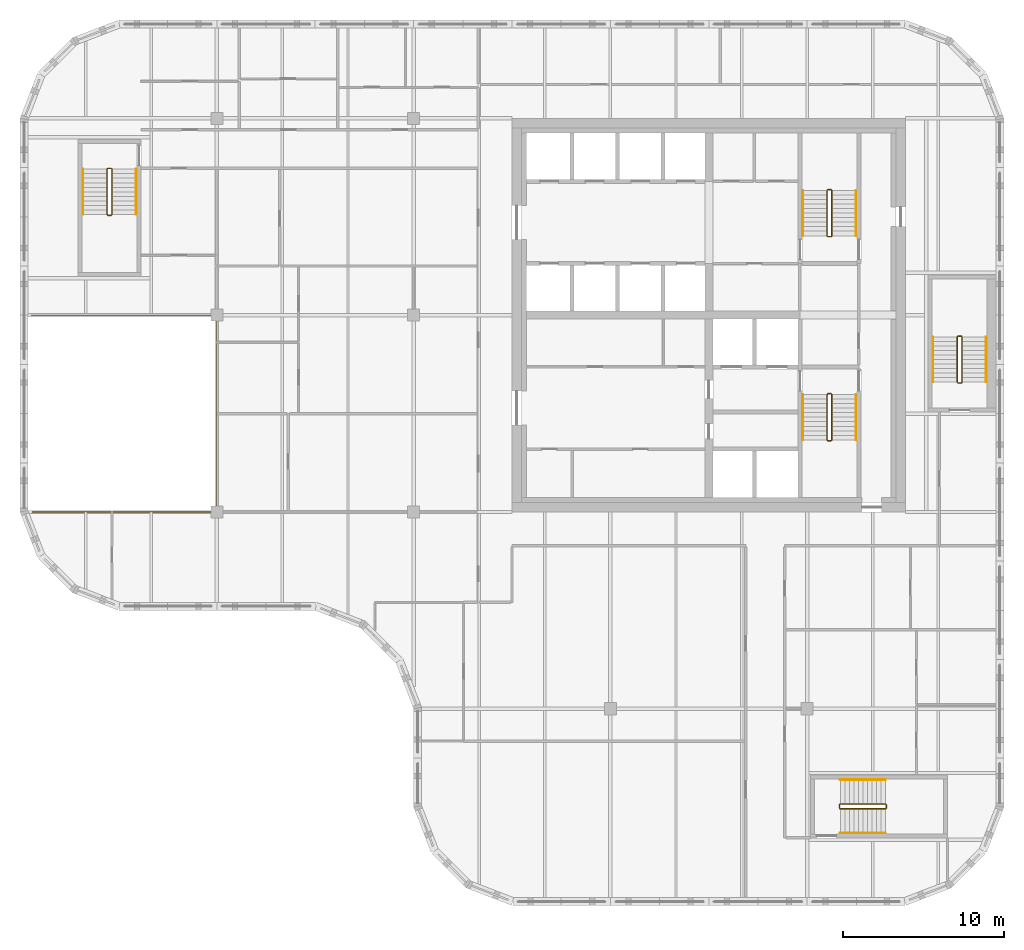
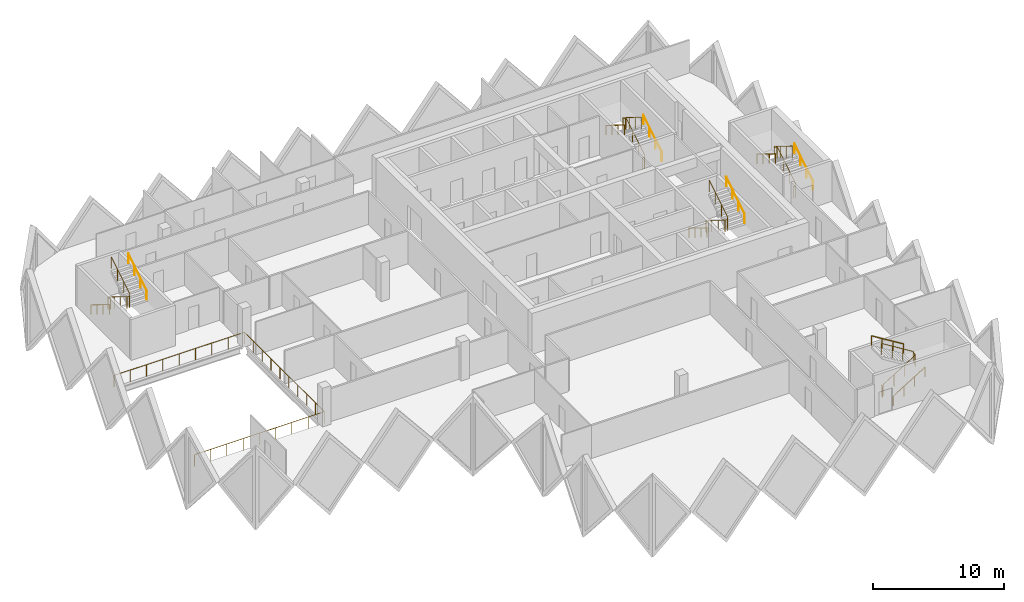
# One storey, part 11 of 11: 16 railings.
"""IFC4 building model written with IfcOpenShell, lengths in metres."""

from ifc_helpers import new_model, si_unit, direction, frame, origin, origin_2d, place, context, subcontext, project, spatial, circle, extrude, material, type_object, element, save


model = new_model("IFC4")

# Units and contexts
model_context = context("Model", 3, precision=1e-05, world=origin(), true_north=direction((0.0, 1.0)))
body_context = subcontext(model_context, "Body", "Model", "MODEL_VIEW")
ifc_project = project(units=[si_unit("LENGTHUNIT", "METRE"), si_unit("AREAUNIT", "SQUARE_METRE"), si_unit("VOLUMEUNIT", "CUBIC_METRE"), si_unit("PLANEANGLEUNIT", "RADIAN"), si_unit("MASSUNIT", "GRAM", prefix="KILO")], contexts=[model_context])

# Site, building, storey
site_placement = place(None, origin())
site = spatial("IfcSite", under=ifc_project, at=site_placement, CompositionType="ELEMENT")
building_placement = place(site_placement, origin())
building = spatial("IfcBuilding", under=site, at=building_placement, Name="Tessera Gate Towers", CompositionType="ELEMENT")
storey_placement = place(building_placement, frame((0.0, 0.0, 166.800048828125)))
storey = spatial("IfcBuildingStorey", under=building, at=storey_placement, Name="L41", CompositionType="ELEMENT", Elevation=166.800048828125)

# Railings
ifc_material_1 = material(Name="Toughened glass with stainless steel handrail", Category="steel")
railing_type_1 = type_object("IfcRailingType", Name="GUARD 1100 GLASS BALUSTRADE", PredefinedType="GUARDRAIL", material=ifc_material_1)
railing_1_placement = place(storey_placement, frame((0.750244140625, 24.39990234375, 0.0)))
element("IfcRailing", 1, at=railing_1_placement, inside=storey, type_object=railing_type_1, Name="Guard", PredefinedType="GUARDRAIL", context=body_context, shape_type="SweptSolid", body=[
    extrude(circle(Radius=0.02490234375, at=origin_2d()), frame((0.0, 0.0, 1.0751953125), z_axis=(1.0, 0.0, 0.0), x_axis=(0.0, 1.0, 0.0)), (0.0, 0.0, 1.0), 11.44970703125),
    extrude(circle(Radius=0.02490234375, at=origin_2d()), frame((11.44970703125, 0.0, 1.0751953125), z_axis=(0.0, 1.0, 0.0), x_axis=(-1.0, 0.0, 0.0)), (0.0, 0.0, 1.0), 12.2001953125),
    extrude(circle(Radius=0.02490234375, at=origin_2d()), frame((11.44970703125, 12.2001953125, 1.0751953125), z_axis=(-1.0, 0.0, 0.0), x_axis=(0.0, -1.0, 0.0)), (0.0, 0.0, 1.0), 11.5),
    extrude(circle(Radius=0.02490234375, at=origin_2d()), origin(), (0.0, 0.0, 1.0), 1.050048828125),
    extrude(circle(Radius=0.02490234375, at=origin_2d()), frame((1.43115234375, 0.0, 0.0)), (0.0, 0.0, 1.0), 1.050048828125),
    extrude(circle(Radius=0.02490234375, at=origin_2d()), frame((2.8623046875, 0.0, 0.0)), (0.0, 0.0, 1.0), 1.050048828125),
    extrude(circle(Radius=0.02490234375, at=origin_2d()), frame((4.293701171875, 0.0, 0.0)), (0.0, 0.0, 1.0), 1.050048828125),
    extrude(circle(Radius=0.02490234375, at=origin_2d()), frame((5.724853515625, 0.0, 0.0)), (0.0, 0.0, 1.0), 1.050048828125),
    extrude(circle(Radius=0.02490234375, at=origin_2d()), frame((7.156005859375, 0.0, 0.0)), (0.0, 0.0, 1.0), 1.050048828125),
    extrude(circle(Radius=0.02490234375, at=origin_2d()), frame((8.58740234375, 0.0, 0.0)), (0.0, 0.0, 1.0), 1.050048828125),
    extrude(circle(Radius=0.02490234375, at=origin_2d()), frame((10.0185546875, 0.0, 0.0)), (0.0, 0.0, 1.0), 1.050048828125),
    extrude(circle(Radius=0.02490234375, at=origin_2d()), frame((11.44970703125, 0.0, 0.0)), (0.0, 0.0, 1.0), 1.050048828125),
    extrude(circle(Radius=0.02490234375, at=origin_2d()), frame((11.44970703125, 1.35546875, 0.0)), (0.0, 0.0, 1.0), 1.050048828125),
    extrude(circle(Radius=0.02490234375, at=origin_2d()), frame((11.44970703125, 2.711181640625, 0.0)), (0.0, 0.0, 1.0), 1.050048828125),
    extrude(circle(Radius=0.02490234375, at=origin_2d()), frame((11.44970703125, 4.066650390625, 0.0)), (0.0, 0.0, 1.0), 1.050048828125),
    extrude(circle(Radius=0.02490234375, at=origin_2d()), frame((11.44970703125, 5.42236328125, 0.0)), (0.0, 0.0, 1.0), 1.050048828125),
    extrude(circle(Radius=0.02490234375, at=origin_2d()), frame((11.44970703125, 6.77783203125, 0.0)), (0.0, 0.0, 1.0), 1.050048828125),
    extrude(circle(Radius=0.02490234375, at=origin_2d()), frame((11.44970703125, 8.133544921875, 0.0)), (0.0, 0.0, 1.0), 1.050048828125),
    extrude(circle(Radius=0.02490234375, at=origin_2d()), frame((11.44970703125, 9.489013671875, 0.0)), (0.0, 0.0, 1.0), 1.050048828125),
    extrude(circle(Radius=0.02490234375, at=origin_2d()), frame((11.44970703125, 10.8447265625, 0.0)), (0.0, 0.0, 1.0), 1.050048828125),
    extrude(circle(Radius=0.02490234375, at=origin_2d()), frame((11.44970703125, 12.2001953125, 0.0)), (0.0, 0.0, 1.0), 1.050048828125),
    extrude(circle(Radius=0.02490234375, at=origin_2d()), frame((10.01220703125, 12.2001953125, 0.0)), (0.0, 0.0, 1.0), 1.050048828125),
    extrude(circle(Radius=0.02490234375, at=origin_2d()), frame((8.57470703125, 12.2001953125, 0.0)), (0.0, 0.0, 1.0), 1.050048828125),
    extrude(circle(Radius=0.02490234375, at=origin_2d()), frame((7.13720703125, 12.2001953125, 0.0)), (0.0, 0.0, 1.0), 1.050048828125),
    extrude(circle(Radius=0.02490234375, at=origin_2d()), frame((5.69970703125, 12.2001953125, 0.0)), (0.0, 0.0, 1.0), 1.050048828125),
    extrude(circle(Radius=0.02490234375, at=origin_2d()), frame((4.26220703125, 12.2001953125, 0.0)), (0.0, 0.0, 1.0), 1.050048828125),
    extrude(circle(Radius=0.02490234375, at=origin_2d()), frame((2.82470703125, 12.2001953125, 0.0)), (0.0, 0.0, 1.0), 1.050048828125),
    extrude(circle(Radius=0.02490234375, at=origin_2d()), frame((1.38720703125, 12.2001953125, 0.0)), (0.0, 0.0, 1.0), 1.050048828125),
    extrude(circle(Radius=0.02490234375, at=origin_2d()), frame((-0.05029296875, 12.2001953125, 0.0)), (0.0, 0.0, 1.0), 1.050048828125),
])
ifc_material_2 = material(Name="Steel 350W", Category="steel")
railing_type_2 = type_object("IfcRailingType", Name="STAIR GUARD 1100", PredefinedType="GUARDRAIL", material=ifc_material_2)
railing_2_placement = place(storey_placement, frame((50.27490234375, 31.72509765625, 0.0)))
element("IfcRailing", 2, at=railing_2_placement, inside=storey, type_object=railing_type_2, Name="L41 ST1 stair guard 1", PredefinedType="GUARDRAIL", context=body_context, shape_type="SweptSolid", body=[
    extrude(circle(Radius=0.02392578125, at=origin_2d()), frame((0.0, 0.0, 1.076171875), z_axis=(-1.0, 0.0, 0.0), x_axis=(0.0, -1.0, 0.0)), (0.0, 0.0, 1.0), 0.199951171875),
    extrude(circle(Radius=0.02392578125, at=origin_2d()), frame((-0.199951171875, 0.0, 1.076171875), z_axis=(-0.268277960024, -0.268277960024, 0.925231793839), x_axis=(0.707106781187, -0.707106781187, 0.0)), (0.0, 0.0, 1.0), 0.1865234375),
    extrude(circle(Radius=0.02392578125, at=origin_2d()), frame((-0.25, -0.050048828125, 1.24853515625), z_axis=(0.0, -0.851089632645, 0.525020415988), x_axis=(1.0, 0.0, 0.0)), (0.0, 0.0, 1.0), 3.2900390625),
    extrude(circle(Radius=0.02392578125, at=origin_2d()), frame((-0.25, -2.85009765625, 2.97607421875), z_axis=(0.707106781187, -0.707106781187, 0.0), x_axis=(0.707106781187, 0.707106781187, 0.0)), (0.0, 0.0, 1.0), 0.07080078125),
    extrude(circle(Radius=0.02392578125, at=origin_2d()), frame((-0.199951171875, -2.900146484375, 2.97607421875), z_axis=(1.0, 0.0, 0.0), x_axis=(0.0, 1.0, 0.0)), (0.0, 0.0, 1.0), 0.199951171875),
    extrude(circle(Radius=0.02392578125, at=origin_2d()), frame((0.0, -2.900146484375, 2.97607421875), z_axis=(0.267953482034, 0.267953482034, 0.925419830635), x_axis=(-0.707106781187, 0.707106781187, 0.0)), (0.0, 0.0, 1.0), 0.186767578125),
    extrude(circle(Radius=0.02392578125, at=origin_2d()), frame((0.050048828125, -2.85009765625, 3.14892578125), z_axis=(0.0, 0.851089632645, 0.525020415988), x_axis=(-1.0, 0.0, 0.0)), (0.0, 0.0, 1.0), 3.2900390625),
    extrude(circle(Radius=0.02099609375, at=origin_2d()), origin(), (0.0, 0.0, 1.0), 1.052001953125),
    extrude(circle(Radius=0.02099609375, at=origin_2d()), frame((-0.199951171875, 0.0, 0.0)), (0.0, 0.0, 1.0), 1.052001953125),
    extrude(circle(Radius=0.02099609375, at=origin_2d()), frame((-0.25, -0.050048828125, 0.172607421875)), (0.0, 0.0, 1.0), 1.052001953125),
    extrude(circle(Radius=0.02099609375, at=origin_2d()), frame((-0.25, -0.9833984375, 0.748291015625)), (0.0, 0.0, 1.0), 1.052001953125),
    extrude(circle(Radius=0.02099609375, at=origin_2d()), frame((-0.25, -1.916748046875, 1.32421875)), (0.0, 0.0, 1.0), 1.052001953125),
    extrude(circle(Radius=0.02099609375, at=origin_2d()), frame((-0.25, -2.85009765625, 1.89990234375)), (0.0, 0.0, 1.0), 1.052001953125),
    extrude(circle(Radius=0.02099609375, at=origin_2d()), frame((-0.199951171875, -2.900146484375, 1.89990234375)), (0.0, 0.0, 1.0), 1.052001953125),
    extrude(circle(Radius=0.02099609375, at=origin_2d()), frame((0.0, -2.900146484375, 1.89990234375)), (0.0, 0.0, 1.0), 1.052001953125),
    extrude(circle(Radius=0.02099609375, at=origin_2d()), frame((0.050048828125, -2.85009765625, 2.07275390625)), (0.0, 0.0, 1.0), 1.052001953125),
    extrude(circle(Radius=0.02099609375, at=origin_2d()), frame((0.050048828125, -1.916748046875, 2.6484375)), (0.0, 0.0, 1.0), 1.052001953125),
    extrude(circle(Radius=0.02099609375, at=origin_2d()), frame((0.050048828125, -0.9833984375, 3.224365234375)), (0.0, 0.0, 1.0), 1.052001953125),
    extrude(circle(Radius=0.02099609375, at=origin_2d()), frame((0.050048828125, -0.050048828125, 3.800048828125)), (0.0, 0.0, 1.0), 1.052001953125),
])
railing_3_placement = place(storey_placement, frame((50.074951171875, 41.47509765625, 0.0)))
element("IfcRailing", 3, at=railing_3_placement, inside=storey, type_object=railing_type_2, Name="L41 ST2 stair guard 1", PredefinedType="GUARDRAIL", context=body_context, shape_type="SweptSolid", body=[
    extrude(circle(Radius=0.02392578125, at=origin_2d()), frame((0.0, 0.0, 1.076171875), z_axis=(1.0, 0.0, 0.0), x_axis=(0.0, 1.0, 0.0)), (0.0, 0.0, 1.0), 0.199951171875),
    extrude(circle(Radius=0.02392578125, at=origin_2d()), frame((0.199951171875, 0.0, 1.076171875), z_axis=(0.268371968888, 0.267062837333, 0.925556009775), x_axis=(-0.705375805398, 0.708833529934, 0.0)), (0.0, 0.0, 1.0), 0.1865234375),
    extrude(circle(Radius=0.02392578125, at=origin_2d()), frame((0.25, 0.0498046875, 1.24853515625), z_axis=(0.0, 0.851089632645, 0.525020415988), x_axis=(-1.0, 0.0, 0.0)), (0.0, 0.0, 1.0), 3.2900390625),
    extrude(circle(Radius=0.02392578125, at=origin_2d()), frame((0.25, 2.849853515625, 2.97607421875), z_axis=(-0.707106781187, 0.707106781187, 0.0), x_axis=(-0.707106781187, -0.707106781187, 0.0)), (0.0, 0.0, 1.0), 0.07080078125),
    extrude(circle(Radius=0.02392578125, at=origin_2d()), frame((0.199951171875, 2.89990234375, 2.97607421875), z_axis=(-1.0, 0.0, 0.0), x_axis=(0.0, -1.0, 0.0)), (0.0, 0.0, 1.0), 0.199951171875),
    extrude(circle(Radius=0.02392578125, at=origin_2d()), frame((0.0, 2.89990234375, 2.97607421875), z_axis=(-0.267953482034, -0.267953482034, 0.925419830635), x_axis=(0.707106781187, -0.707106781187, 0.0)), (0.0, 0.0, 1.0), 0.186767578125),
    extrude(circle(Radius=0.02392578125, at=origin_2d()), frame((-0.050048828125, 2.849853515625, 3.14892578125), z_axis=(0.0, -0.851089632645, 0.525020415988), x_axis=(1.0, 0.0, 0.0)), (0.0, 0.0, 1.0), 3.2900390625),
    extrude(circle(Radius=0.02099609375, at=origin_2d()), origin(), (0.0, 0.0, 1.0), 1.052001953125),
    extrude(circle(Radius=0.02099609375, at=origin_2d()), frame((0.199951171875, 0.0, 0.0)), (0.0, 0.0, 1.0), 1.052001953125),
    extrude(circle(Radius=0.02099609375, at=origin_2d()), frame((0.25, 0.0498046875, 0.172607421875)), (0.0, 0.0, 1.0), 1.052001953125),
    extrude(circle(Radius=0.02099609375, at=origin_2d()), frame((0.25, 0.983154296875, 0.748291015625)), (0.0, 0.0, 1.0), 1.052001953125),
    extrude(circle(Radius=0.02099609375, at=origin_2d()), frame((0.25, 1.91650390625, 1.32421875)), (0.0, 0.0, 1.0), 1.052001953125),
    extrude(circle(Radius=0.02099609375, at=origin_2d()), frame((0.25, 2.849853515625, 1.89990234375)), (0.0, 0.0, 1.0), 1.052001953125),
    extrude(circle(Radius=0.02099609375, at=origin_2d()), frame((0.199951171875, 2.89990234375, 1.89990234375)), (0.0, 0.0, 1.0), 1.052001953125),
    extrude(circle(Radius=0.02099609375, at=origin_2d()), frame((0.0, 2.89990234375, 1.89990234375)), (0.0, 0.0, 1.0), 1.052001953125),
    extrude(circle(Radius=0.02099609375, at=origin_2d()), frame((-0.050048828125, 2.849853515625, 2.07275390625)), (0.0, 0.0, 1.0), 1.052001953125),
    extrude(circle(Radius=0.02099609375, at=origin_2d()), frame((-0.050048828125, 1.91650390625, 2.6484375)), (0.0, 0.0, 1.0), 1.052001953125),
    extrude(circle(Radius=0.02099609375, at=origin_2d()), frame((-0.050048828125, 0.983154296875, 3.224365234375)), (0.0, 0.0, 1.0), 1.052001953125),
    extrude(circle(Radius=0.02099609375, at=origin_2d()), frame((-0.050048828125, 0.0498046875, 3.800048828125)), (0.0, 0.0, 1.0), 1.052001953125),
])
railing_4_placement = place(storey_placement, frame((5.64990234375, 45.699951171875, 0.0)))
element("IfcRailing", 4, at=railing_4_placement, inside=storey, type_object=railing_type_2, Name="L41 ST3 stair guard 1", PredefinedType="GUARDRAIL", context=body_context, shape_type="SweptSolid", body=[
    extrude(circle(Radius=0.02392578125, at=origin_2d()), frame((0.0, 0.0, 1.076171875), z_axis=(-1.0, 0.0, 0.0), x_axis=(0.0, -1.0, 0.0)), (0.0, 0.0, 1.0), 0.199951171875),
    extrude(circle(Radius=0.02392578125, at=origin_2d()), frame((-0.199951171875, 0.0, 1.076171875), z_axis=(-0.268277960024, -0.268277960024, 0.925231793839), x_axis=(0.707106781187, -0.707106781187, 0.0)), (0.0, 0.0, 1.0), 0.1865234375),
    extrude(circle(Radius=0.02392578125, at=origin_2d()), frame((-0.25, -0.050048828125, 1.24853515625), z_axis=(0.0, -0.851069175582, 0.525053576669), x_axis=(1.0, 0.0, 0.0)), (0.0, 0.0, 1.0), 3.289794921875),
    extrude(circle(Radius=0.02392578125, at=origin_2d()), frame((-0.25, -2.849853515625, 2.97607421875), z_axis=(0.707106781187, -0.707106781187, 0.0), x_axis=(0.707106781187, 0.707106781187, 0.0)), (0.0, 0.0, 1.0), 0.07080078125),
    extrude(circle(Radius=0.02392578125, at=origin_2d()), frame((-0.199951171875, -2.89990234375, 2.97607421875), z_axis=(1.0, 0.0, 0.0), x_axis=(0.0, 1.0, 0.0)), (0.0, 0.0, 1.0), 0.199951171875),
    extrude(circle(Radius=0.02392578125, at=origin_2d()), frame((0.0, -2.89990234375, 2.97607421875), z_axis=(0.267953482034, 0.267953482034, 0.925419830635), x_axis=(-0.707106781187, 0.707106781187, 0.0)), (0.0, 0.0, 1.0), 0.186767578125),
    extrude(circle(Radius=0.02392578125, at=origin_2d()), frame((0.050048828125, -2.849853515625, 3.14892578125), z_axis=(0.0, 0.851069175582, 0.525053576669), x_axis=(-1.0, 0.0, 0.0)), (0.0, 0.0, 1.0), 3.289794921875),
    extrude(circle(Radius=0.02099609375, at=origin_2d()), origin(), (0.0, 0.0, 1.0), 1.052001953125),
    extrude(circle(Radius=0.02099609375, at=origin_2d()), frame((-0.199951171875, 0.0, 0.0)), (0.0, 0.0, 1.0), 1.052001953125),
    extrude(circle(Radius=0.02099609375, at=origin_2d()), frame((-0.25, -0.050048828125, 0.172607421875)), (0.0, 0.0, 1.0), 1.052001953125),
    extrude(circle(Radius=0.02099609375, at=origin_2d()), frame((-0.25, -0.9833984375, 0.748291015625)), (0.0, 0.0, 1.0), 1.052001953125),
    extrude(circle(Radius=0.02099609375, at=origin_2d()), frame((-0.25, -1.91650390625, 1.32421875)), (0.0, 0.0, 1.0), 1.052001953125),
    extrude(circle(Radius=0.02099609375, at=origin_2d()), frame((-0.25, -2.849853515625, 1.89990234375)), (0.0, 0.0, 1.0), 1.052001953125),
    extrude(circle(Radius=0.02099609375, at=origin_2d()), frame((-0.199951171875, -2.89990234375, 1.89990234375)), (0.0, 0.0, 1.0), 1.052001953125),
    extrude(circle(Radius=0.02099609375, at=origin_2d()), frame((0.0, -2.89990234375, 1.89990234375)), (0.0, 0.0, 1.0), 1.052001953125),
    extrude(circle(Radius=0.02099609375, at=origin_2d()), frame((0.050048828125, -2.849853515625, 2.07275390625)), (0.0, 0.0, 1.0), 1.052001953125),
    extrude(circle(Radius=0.02099609375, at=origin_2d()), frame((0.050048828125, -1.91650390625, 2.6484375)), (0.0, 0.0, 1.0), 1.052001953125),
    extrude(circle(Radius=0.02099609375, at=origin_2d()), frame((0.050048828125, -0.9833984375, 3.224365234375)), (0.0, 0.0, 1.0), 1.052001953125),
    extrude(circle(Radius=0.02099609375, at=origin_2d()), frame((0.050048828125, -0.050048828125, 3.800048828125)), (0.0, 0.0, 1.0), 1.052001953125),
])
railing_5_placement = place(storey_placement, frame((50.800048828125, 6.25, 0.0)))
element("IfcRailing", 5, at=railing_5_placement, inside=storey, type_object=railing_type_2, Name="L41 ST4 stair guard 1", PredefinedType="GUARDRAIL", context=body_context, shape_type="SweptSolid", body=[
    extrude(circle(Radius=0.02392578125, at=origin_2d()), frame((0.0, 0.0, 1.076171875), z_axis=(0.0, -1.0, 0.0), x_axis=(1.0, 0.0, 0.0)), (0.0, 0.0, 1.0), 0.199951171875),
    extrude(circle(Radius=0.02392578125, at=origin_2d()), frame((0.0, -0.199951171875, 1.076171875), z_axis=(0.268277960024, -0.268277960024, 0.925231793839), x_axis=(0.707106781187, 0.707106781187, 0.0)), (0.0, 0.0, 1.0), 0.1865234375),
    extrude(circle(Radius=0.02392578125, at=origin_2d()), frame((0.050048828125, -0.25, 1.24853515625), z_axis=(0.851069175582, 0.0, 0.525053576669), x_axis=(0.0, 1.0, 0.0)), (0.0, 0.0, 1.0), 3.289794921875),
    extrude(circle(Radius=0.02392578125, at=origin_2d()), frame((2.849853515625, -0.25, 2.97607421875), z_axis=(0.707106781187, 0.707106781187, 0.0), x_axis=(-0.707106781187, 0.707106781187, 0.0)), (0.0, 0.0, 1.0), 0.07080078125),
    extrude(circle(Radius=0.02392578125, at=origin_2d()), frame((2.89990234375, -0.199951171875, 2.97607421875), z_axis=(0.0, 1.0, 0.0), x_axis=(-1.0, 0.0, 0.0)), (0.0, 0.0, 1.0), 0.199951171875),
    extrude(circle(Radius=0.02392578125, at=origin_2d()), frame((2.89990234375, 0.0, 2.97607421875), z_axis=(-0.267953482034, 0.267953482034, 0.925419830635), x_axis=(-0.707106781187, -0.707106781187, 0.0)), (0.0, 0.0, 1.0), 0.186767578125),
    extrude(circle(Radius=0.02392578125, at=origin_2d()), frame((2.849853515625, 0.050048828125, 3.14892578125), z_axis=(-0.851069175582, 0.0, 0.525053576669), x_axis=(0.0, -1.0, 0.0)), (0.0, 0.0, 1.0), 3.289794921875),
    extrude(circle(Radius=0.02099609375, at=origin_2d()), origin(), (0.0, 0.0, 1.0), 1.052001953125),
    extrude(circle(Radius=0.02099609375, at=origin_2d()), frame((0.0, -0.199951171875, 0.0)), (0.0, 0.0, 1.0), 1.052001953125),
    extrude(circle(Radius=0.02099609375, at=origin_2d()), frame((0.050048828125, -0.25, 0.172607421875)), (0.0, 0.0, 1.0), 1.052001953125),
    extrude(circle(Radius=0.02099609375, at=origin_2d()), frame((0.9833984375, -0.25, 0.748291015625)), (0.0, 0.0, 1.0), 1.052001953125),
    extrude(circle(Radius=0.02099609375, at=origin_2d()), frame((1.91650390625, -0.25, 1.32421875)), (0.0, 0.0, 1.0), 1.052001953125),
    extrude(circle(Radius=0.02099609375, at=origin_2d()), frame((2.849853515625, -0.25, 1.89990234375)), (0.0, 0.0, 1.0), 1.052001953125),
    extrude(circle(Radius=0.02099609375, at=origin_2d()), frame((2.89990234375, -0.199951171875, 1.89990234375)), (0.0, 0.0, 1.0), 1.052001953125),
    extrude(circle(Radius=0.02099609375, at=origin_2d()), frame((2.89990234375, 0.0, 1.89990234375)), (0.0, 0.0, 1.0), 1.052001953125),
    extrude(circle(Radius=0.02099609375, at=origin_2d()), frame((2.849853515625, 0.050048828125, 2.07275390625)), (0.0, 0.0, 1.0), 1.052001953125),
    extrude(circle(Radius=0.02099609375, at=origin_2d()), frame((1.91650390625, 0.050048828125, 2.6484375)), (0.0, 0.0, 1.0), 1.052001953125),
    extrude(circle(Radius=0.02099609375, at=origin_2d()), frame((0.9833984375, 0.050048828125, 3.224365234375)), (0.0, 0.0, 1.0), 1.052001953125),
    extrude(circle(Radius=0.02099609375, at=origin_2d()), frame((0.050048828125, 0.050048828125, 3.800048828125)), (0.0, 0.0, 1.0), 1.052001953125),
])
railing_6_placement = place(storey_placement, frame((58.14990234375, 32.39990234375, 0.0)))
element("IfcRailing", 6, at=railing_6_placement, inside=storey, type_object=railing_type_2, Name="L41 ST5 stair guard 1", PredefinedType="GUARDRAIL", context=body_context, shape_type="SweptSolid", body=[
    extrude(circle(Radius=0.02392578125, at=origin_2d()), frame((0.0, 0.0, 1.076171875), z_axis=(1.0, 0.0, 0.0), x_axis=(0.0, 1.0, 0.0)), (0.0, 0.0, 1.0), 0.2001953125),
    extrude(circle(Radius=0.02392578125, at=origin_2d()), frame((0.2001953125, 0.0, 1.076171875), z_axis=(0.267062837333, 0.268371968888, 0.925556009775), x_axis=(-0.708833529934, 0.705375805398, 0.0)), (0.0, 0.0, 1.0), 0.1865234375),
    extrude(circle(Radius=0.02392578125, at=origin_2d()), frame((0.25, 0.050048828125, 1.24853515625), z_axis=(0.0, 0.851089632645, 0.525020415988), x_axis=(-1.0, 0.0, 0.0)), (0.0, 0.0, 1.0), 3.2900390625),
    extrude(circle(Radius=0.02392578125, at=origin_2d()), frame((0.25, 2.85009765625, 2.97607421875), z_axis=(-0.705375805398, 0.708833529934, 0.0), x_axis=(-0.708833529934, -0.705375805398, 0.0)), (0.0, 0.0, 1.0), 0.070556640625),
    extrude(circle(Radius=0.02392578125, at=origin_2d()), frame((0.2001953125, 2.900146484375, 2.97607421875), z_axis=(-1.0, 0.0, 0.0), x_axis=(0.0, -1.0, 0.0)), (0.0, 0.0, 1.0), 0.2001953125),
    extrude(circle(Radius=0.02392578125, at=origin_2d()), frame((0.0, 2.900146484375, 2.97607421875), z_axis=(-0.266739603011, -0.268047150085, 0.925743328097), x_axis=(0.708833529934, -0.705375805398, 0.0)), (0.0, 0.0, 1.0), 0.186767578125),
    extrude(circle(Radius=0.02392578125, at=origin_2d()), frame((-0.0498046875, 2.85009765625, 3.14892578125), z_axis=(0.0, -0.851089632645, 0.525020415988), x_axis=(1.0, 0.0, 0.0)), (0.0, 0.0, 1.0), 3.2900390625),
    extrude(circle(Radius=0.02099609375, at=origin_2d()), origin(), (0.0, 0.0, 1.0), 1.052001953125),
    extrude(circle(Radius=0.02099609375, at=origin_2d()), frame((0.2001953125, 0.0, 0.0)), (0.0, 0.0, 1.0), 1.052001953125),
    extrude(circle(Radius=0.02099609375, at=origin_2d()), frame((0.25, 0.050048828125, 0.172607421875)), (0.0, 0.0, 1.0), 1.052001953125),
    extrude(circle(Radius=0.02099609375, at=origin_2d()), frame((0.25, 0.9833984375, 0.748291015625)), (0.0, 0.0, 1.0), 1.052001953125),
    extrude(circle(Radius=0.02099609375, at=origin_2d()), frame((0.25, 1.916748046875, 1.32421875)), (0.0, 0.0, 1.0), 1.052001953125),
    extrude(circle(Radius=0.02099609375, at=origin_2d()), frame((0.25, 2.85009765625, 1.89990234375)), (0.0, 0.0, 1.0), 1.052001953125),
    extrude(circle(Radius=0.02099609375, at=origin_2d()), frame((0.2001953125, 2.900146484375, 1.89990234375)), (0.0, 0.0, 1.0), 1.052001953125),
    extrude(circle(Radius=0.02099609375, at=origin_2d()), frame((0.0, 2.900146484375, 1.89990234375)), (0.0, 0.0, 1.0), 1.052001953125),
    extrude(circle(Radius=0.02099609375, at=origin_2d()), frame((-0.0498046875, 2.85009765625, 2.07275390625)), (0.0, 0.0, 1.0), 1.052001953125),
    extrude(circle(Radius=0.02099609375, at=origin_2d()), frame((-0.0498046875, 1.916748046875, 2.6484375)), (0.0, 0.0, 1.0), 1.052001953125),
    extrude(circle(Radius=0.02099609375, at=origin_2d()), frame((-0.0498046875, 0.9833984375, 3.224365234375)), (0.0, 0.0, 1.0), 1.052001953125),
    extrude(circle(Radius=0.02099609375, at=origin_2d()), frame((-0.0498046875, 0.050048828125, 3.800048828125)), (0.0, 0.0, 1.0), 1.052001953125),
])
ifc_material_3 = material(Name="Steel 350W", Category="steel")
railing_type_3 = type_object("IfcRailingType", Name="STAIR HANDRAIL 900", PredefinedType="HANDRAIL", material=ifc_material_3)
railing_7_placement = place(storey_placement, frame((48.52490234375, 31.675048828125, 0.172607421875)))
element("IfcRailing", 7, at=railing_7_placement, inside=storey, type_object=railing_type_3, Name="L41 ST1 stair handrail 1", PredefinedType="HANDRAIL", context=body_context, shape_type="SweptSolid", body=[
    extrude(circle(Radius=0.02392578125, at=origin_2d()), frame((0.0, 0.0, 0.8759765625), z_axis=(0.0, -0.851089632645, 0.525020415988), x_axis=(1.0, 0.0, 0.0)), (0.0, 0.0, 1.0), 3.2900390625),
    extrude(circle(Radius=0.02099609375, at=origin_2d()), origin(), (0.0, 0.0, 1.0), 0.851806640625),
    extrude(circle(Radius=0.02099609375, at=origin_2d()), frame((0.0, -0.933349609375, 0.57568359375)), (0.0, 0.0, 1.0), 0.851806640625),
    extrude(circle(Radius=0.02099609375, at=origin_2d()), frame((0.0, -1.86669921875, 1.151611328125)), (0.0, 0.0, 1.0), 0.851806640625),
    extrude(circle(Radius=0.02099609375, at=origin_2d()), frame((0.0, -2.800048828125, 1.727294921875)), (0.0, 0.0, 1.0), 0.851806640625),
])
for number, where, name in (
    (8, (51.824951171875, 28.875, 2.07275390625), "L41 ST1 stair handrail 2"),
    (9, (51.824951171875, 41.52490234375, 0.172607421875), "L41 ST2 stair handrail 1"),
):
    element("IfcRailing", number, at=place(storey_placement, frame(where)), inside=storey, type_object=railing_type_3, Name=name, PredefinedType="HANDRAIL", context=body_context, shape_type="SweptSolid", body=[
        extrude(circle(Radius=0.02392578125, at=origin_2d()), frame((0.0, 0.0, 0.8759765625), z_axis=(0.0, 0.851089632645, 0.525020415988), x_axis=(-1.0, 0.0, 0.0)), (0.0, 0.0, 1.0), 3.2900390625),
        extrude(circle(Radius=0.02099609375, at=origin_2d()), origin(), (0.0, 0.0, 1.0), 0.851806640625),
        extrude(circle(Radius=0.02099609375, at=origin_2d()), frame((0.0, 0.933349609375, 0.57568359375)), (0.0, 0.0, 1.0), 0.851806640625),
        extrude(circle(Radius=0.02099609375, at=origin_2d()), frame((0.0, 1.86669921875, 1.151611328125)), (0.0, 0.0, 1.0), 0.851806640625),
        extrude(circle(Radius=0.02099609375, at=origin_2d()), frame((0.0, 2.800048828125, 1.727294921875)), (0.0, 0.0, 1.0), 0.851806640625),
    ])
railing_8_placement = place(storey_placement, frame((48.52490234375, 44.324951171875, 2.07275390625)))
element("IfcRailing", 10, at=railing_8_placement, inside=storey, type_object=railing_type_3, Name="L41 ST2 stair handrail 2", PredefinedType="HANDRAIL", context=body_context, shape_type="SweptSolid", body=[
    extrude(circle(Radius=0.02392578125, at=origin_2d()), frame((0.0, 0.0, 0.8759765625), z_axis=(0.0, -0.851089632645, 0.525020415988), x_axis=(1.0, 0.0, 0.0)), (0.0, 0.0, 1.0), 3.2900390625),
    extrude(circle(Radius=0.02099609375, at=origin_2d()), origin(), (0.0, 0.0, 1.0), 0.851806640625),
    extrude(circle(Radius=0.02099609375, at=origin_2d()), frame((0.0, -0.933349609375, 0.57568359375)), (0.0, 0.0, 1.0), 0.851806640625),
    extrude(circle(Radius=0.02099609375, at=origin_2d()), frame((0.0, -1.86669921875, 1.151611328125)), (0.0, 0.0, 1.0), 0.851806640625),
    extrude(circle(Radius=0.02099609375, at=origin_2d()), frame((0.0, -2.800048828125, 1.727294921875)), (0.0, 0.0, 1.0), 0.851806640625),
])
railing_9_placement = place(storey_placement, frame((3.89990234375, 45.64990234375, 0.172607421875)))
element("IfcRailing", 11, at=railing_9_placement, inside=storey, type_object=railing_type_3, Name="L41 ST3 stair handrail 1", PredefinedType="HANDRAIL", context=body_context, shape_type="SweptSolid", body=[
    extrude(circle(Radius=0.02392578125, at=origin_2d()), frame((0.0, 0.0, 0.8759765625), z_axis=(0.0, -0.851069175582, 0.525053576669), x_axis=(1.0, 0.0, 0.0)), (0.0, 0.0, 1.0), 3.289794921875),
    extrude(circle(Radius=0.02099609375, at=origin_2d()), origin(), (0.0, 0.0, 1.0), 0.851806640625),
    extrude(circle(Radius=0.02099609375, at=origin_2d()), frame((0.0, -0.933349609375, 0.57568359375)), (0.0, 0.0, 1.0), 0.851806640625),
    extrude(circle(Radius=0.02099609375, at=origin_2d()), frame((0.0, -1.866455078125, 1.151611328125)), (0.0, 0.0, 1.0), 0.851806640625),
    extrude(circle(Radius=0.02099609375, at=origin_2d()), frame((0.0, -2.7998046875, 1.727294921875)), (0.0, 0.0, 1.0), 0.851806640625),
])
railing_10_placement = place(storey_placement, frame((7.199951171875, 42.85009765625, 2.07275390625)))
element("IfcRailing", 12, at=railing_10_placement, inside=storey, type_object=railing_type_3, Name="L41 ST3 stair handrail 2", PredefinedType="HANDRAIL", context=body_context, shape_type="SweptSolid", body=[
    extrude(circle(Radius=0.02392578125, at=origin_2d()), frame((0.0, 0.0, 0.8759765625), z_axis=(0.0, 0.851069175582, 0.525053576669), x_axis=(-1.0, 0.0, 0.0)), (0.0, 0.0, 1.0), 3.289794921875),
    extrude(circle(Radius=0.02099609375, at=origin_2d()), origin(), (0.0, 0.0, 1.0), 0.851806640625),
    extrude(circle(Radius=0.02099609375, at=origin_2d()), frame((0.0, 0.933349609375, 0.57568359375)), (0.0, 0.0, 1.0), 0.851806640625),
    extrude(circle(Radius=0.02099609375, at=origin_2d()), frame((0.0, 1.866455078125, 1.151611328125)), (0.0, 0.0, 1.0), 0.851806640625),
    extrude(circle(Radius=0.02099609375, at=origin_2d()), frame((0.0, 2.7998046875, 1.727294921875)), (0.0, 0.0, 1.0), 0.851806640625),
])
railing_11_placement = place(storey_placement, frame((50.85009765625, 4.5, 0.172607421875)))
element("IfcRailing", 13, at=railing_11_placement, inside=storey, type_object=railing_type_3, Name="L41 ST4 stair handrail 1", PredefinedType="HANDRAIL", context=body_context, shape_type="SweptSolid", body=[
    extrude(circle(Radius=0.02392578125, at=origin_2d()), frame((0.0, 0.0, 0.8759765625), z_axis=(0.851069175582, 0.0, 0.525053576669), x_axis=(0.0, 1.0, 0.0)), (0.0, 0.0, 1.0), 3.289794921875),
    extrude(circle(Radius=0.02099609375, at=origin_2d()), origin(), (0.0, 0.0, 1.0), 0.851806640625),
    extrude(circle(Radius=0.02099609375, at=origin_2d()), frame((0.933349609375, 0.0, 0.57568359375)), (0.0, 0.0, 1.0), 0.851806640625),
    extrude(circle(Radius=0.02099609375, at=origin_2d()), frame((1.866455078125, 0.0, 1.151611328125)), (0.0, 0.0, 1.0), 0.851806640625),
    extrude(circle(Radius=0.02099609375, at=origin_2d()), frame((2.7998046875, 0.0, 1.727294921875)), (0.0, 0.0, 1.0), 0.851806640625),
])
railing_12_placement = place(storey_placement, frame((53.64990234375, 7.800048828125, 2.07275390625)))
element("IfcRailing", 14, at=railing_12_placement, inside=storey, type_object=railing_type_3, Name="L41 ST4 stair handrail 2", PredefinedType="HANDRAIL", context=body_context, shape_type="SweptSolid", body=[
    extrude(circle(Radius=0.02392578125, at=origin_2d()), frame((0.0, 0.0, 0.8759765625), z_axis=(-0.851069175582, 0.0, 0.525053576669), x_axis=(0.0, -1.0, 0.0)), (0.0, 0.0, 1.0), 3.289794921875),
    extrude(circle(Radius=0.02099609375, at=origin_2d()), origin(), (0.0, 0.0, 1.0), 0.851806640625),
    extrude(circle(Radius=0.02099609375, at=origin_2d()), frame((-0.933349609375, 0.0, 0.57568359375)), (0.0, 0.0, 1.0), 0.851806640625),
    extrude(circle(Radius=0.02099609375, at=origin_2d()), frame((-1.866455078125, 0.0, 1.151611328125)), (0.0, 0.0, 1.0), 0.851806640625),
    extrude(circle(Radius=0.02099609375, at=origin_2d()), frame((-2.7998046875, 0.0, 1.727294921875)), (0.0, 0.0, 1.0), 0.851806640625),
])
railing_13_placement = place(storey_placement, frame((59.89990234375, 32.449951171875, 0.172607421875)))
element("IfcRailing", 15, at=railing_13_placement, inside=storey, type_object=railing_type_3, Name="L41 ST5 stair handrail 1", PredefinedType="HANDRAIL", context=body_context, shape_type="SweptSolid", body=[
    extrude(circle(Radius=0.02392578125, at=origin_2d()), frame((0.0, 0.0, 0.8759765625), z_axis=(0.0, 0.851089632645, 0.525020415988), x_axis=(-1.0, 0.0, 0.0)), (0.0, 0.0, 1.0), 3.2900390625),
    extrude(circle(Radius=0.02099609375, at=origin_2d()), origin(), (0.0, 0.0, 1.0), 0.851806640625),
    extrude(circle(Radius=0.02099609375, at=origin_2d()), frame((0.0, 0.933349609375, 0.57568359375)), (0.0, 0.0, 1.0), 0.851806640625),
    extrude(circle(Radius=0.02099609375, at=origin_2d()), frame((0.0, 1.86669921875, 1.151611328125)), (0.0, 0.0, 1.0), 0.851806640625),
    extrude(circle(Radius=0.02099609375, at=origin_2d()), frame((0.0, 2.800048828125, 1.727294921875)), (0.0, 0.0, 1.0), 0.851806640625),
])
railing_14_placement = place(storey_placement, frame((56.60009765625, 35.25, 2.07275390625)))
element("IfcRailing", 16, at=railing_14_placement, inside=storey, type_object=railing_type_3, Name="L41 ST5 stair handrail 2", PredefinedType="HANDRAIL", context=body_context, shape_type="SweptSolid", body=[
    extrude(circle(Radius=0.02392578125, at=origin_2d()), frame((0.0, 0.0, 0.8759765625), z_axis=(0.0, -0.851089632645, 0.525020415988), x_axis=(1.0, 0.0, 0.0)), (0.0, 0.0, 1.0), 3.2900390625),
    extrude(circle(Radius=0.02099609375, at=origin_2d()), origin(), (0.0, 0.0, 1.0), 0.851806640625),
    extrude(circle(Radius=0.02099609375, at=origin_2d()), frame((0.0, -0.933349609375, 0.57568359375)), (0.0, 0.0, 1.0), 0.851806640625),
    extrude(circle(Radius=0.02099609375, at=origin_2d()), frame((0.0, -1.86669921875, 1.151611328125)), (0.0, 0.0, 1.0), 0.851806640625),
    extrude(circle(Radius=0.02099609375, at=origin_2d()), frame((0.0, -2.800048828125, 1.727294921875)), (0.0, 0.0, 1.0), 0.851806640625),
])

save(model, "model.ifc")
